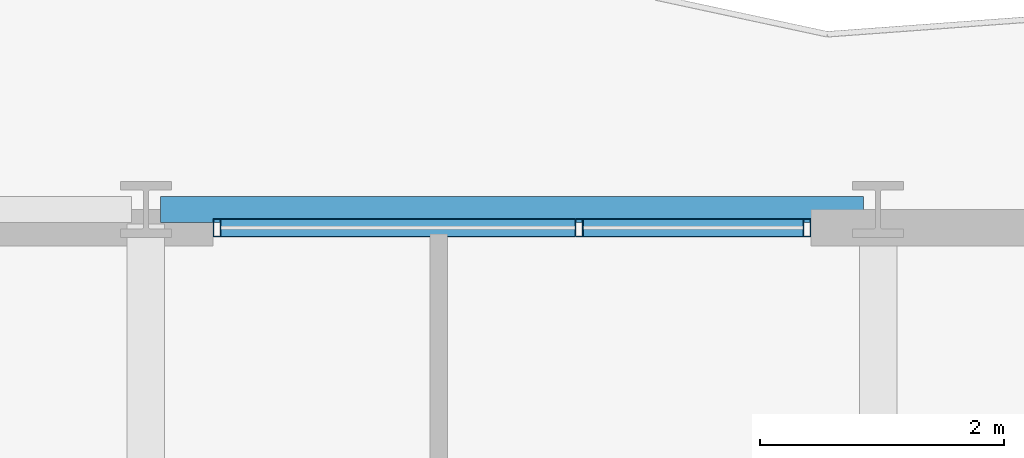
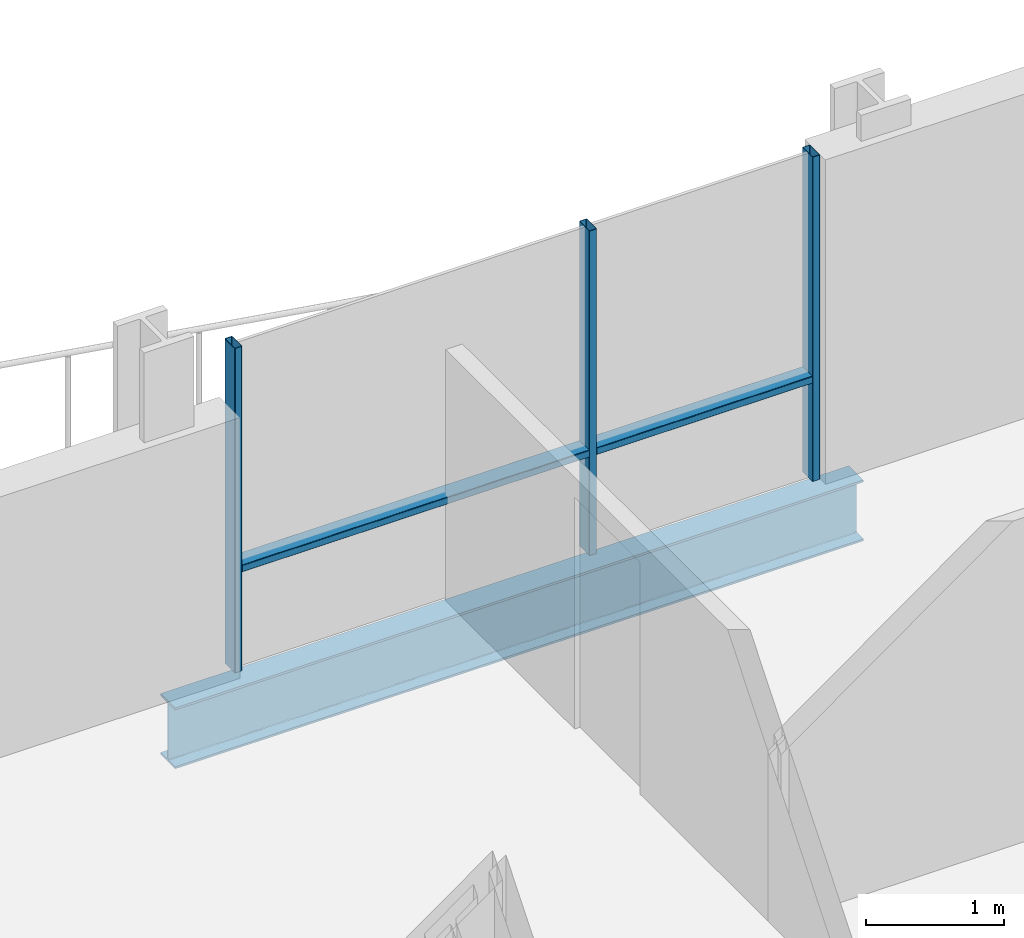
# One storey, part 24 of 41: 5 members, 1 beam, 1 element without a shape of its own.
"""IFC4 building model written with IfcOpenShell, lengths in metres."""

from ifc_helpers import new_model, si_unit, direction, frame, origin, origin_2d, place, context, subcontext, project, spatial, hollow_rectangle, i_section, extrude, material, layer, layer_set, material_profile, profile_set, type_object, element, aggregate, save


model = new_model("IFC4")

# Units and contexts
model_context = context("Model", 3, precision=1e-05, world=origin(), true_north=direction((0.0, 1.0)))
body_context = subcontext(model_context, "Body", "Model", "MODEL_VIEW")
ifc_project = project(units=[si_unit("LENGTHUNIT", "METRE"), si_unit("AREAUNIT", "SQUARE_METRE"), si_unit("VOLUMEUNIT", "CUBIC_METRE"), si_unit("PLANEANGLEUNIT", "RADIAN"), si_unit("MASSUNIT", "GRAM", prefix="KILO")], contexts=[model_context])

# Site, building, storey
site_placement = place(None, origin())
site = spatial("IfcSite", under=ifc_project, at=site_placement, CompositionType="ELEMENT")
building_placement = place(site_placement, origin())
building = spatial("IfcBuilding", under=site, at=building_placement, Name="Brevholm Reach", CompositionType="ELEMENT")
storey_placement = place(building_placement, frame((0.0, 0.0, 86.89990234375)))
storey = spatial("IfcBuildingStorey", under=building, at=storey_placement, Name="L25", CompositionType="ELEMENT", Elevation=86.89990234375)

# Beam
ifc_material_1 = material(Name="Structural Steel S355J2", Category="steel")
ifc_material_profile_1 = material_profile(ifc_material_1, i_section(OverallWidth=0.210693359375, OverallDepth=0.53955078125, WebThickness=0.01171875, FlangeThickness=0.018798828125, FilletRadius=0.0126953125, at=origin_2d()), Name="UKB 533x210x109")
ifc_profile_set_1 = profile_set([ifc_material_profile_1], Name="Structural Steel S355J2")
beam_type = type_object("IfcBeamType", Name="BM-SP539", PredefinedType="SPANDREL", material=ifc_profile_set_1)
beam_placement = place(storey_placement, frame((48.1201171875, 31.0, -0.499755859375), z_axis=(1.0, 0.0, 0.0), x_axis=(0.0, 1.0, 0.0)))
element("IfcBeam", 1, at=beam_placement, inside=storey, type_object=beam_type, Name="L25 SP-01B Framing Beam", PredefinedType="SPANDREL", context=body_context, shape_type="SweptSolid", body=[
    extrude(i_section(OverallWidth=0.210693359375, OverallDepth=0.53955078125, WebThickness=0.01171875, FlangeThickness=0.018798828125, FilletRadius=0.0126953125, at=origin_2d()), origin(), (0.0, 0.0, 1.0), 5.759765625),
])

# Curtain wall, members
ifc_material_2 = material(Name="Dark Anodised Aluminium 6063-T6 and Solar-Control Glass", Category="aluminium")
ifc_layer = layer(ifc_material_2, 0.14990234375)
ifc_layer_set = layer_set([ifc_layer], Name="Dark Anodised Aluminium 6063-T6 and Solar-Control Glass")
curtain_wall_type = type_object("IfcCurtainWallType", Name="CW-01", PredefinedType="NOTDEFINED", material=ifc_layer_set)
curtain_wall_placement = place(storey_placement, origin())
curtain_wall = element("IfcCurtainWall", 2, at=curtain_wall_placement, inside=storey, type_object=curtain_wall_type, Name="L25 Curtain Wall CW-01", PredefinedType="NOTDEFINED")
ifc_material_3 = material(Name="Dark Anodised Aluminium 6063-T6", Category="aluminium")
ifc_material_profile_2 = material_profile(ifc_material_3, hollow_rectangle(XDim=0.06494140625, YDim=0.14990234375, WallThickness=0.0048828125, InnerFilletRadius=0.0048828125, OuterFilletRadius=0.010009765625, at=origin_2d()), Name="RHS 150x65x5")
ifc_profile_set_2 = profile_set([ifc_material_profile_2], Name="Dark Anodised Aluminium 6063-T6")
member_type_1 = type_object("IfcMemberType", Name="CWM-150", PredefinedType="MULLION", material=ifc_profile_set_2)
member_1_placement = place(storey_placement, frame((48.58251953125, 30.85009765625, 0.0), z_axis=(0.0, 0.0, 1.0), x_axis=(1.0, 0.0, 0.0)))
member_1 = element("IfcMember", 3, at=member_1_placement, type_object=member_type_1, Name="CM-150 Mullion 1", PredefinedType="MULLION", context=body_context, shape_type="SweptSolid", body=[
    extrude(hollow_rectangle(XDim=0.06494140625, YDim=0.14990234375, WallThickness=0.0048828125, InnerFilletRadius=0.0048828125, OuterFilletRadius=0.010009765625, at=origin_2d()), origin(), (0.0, 0.0, 1.0), 2.8701171875),
])
member_2_placement = place(storey_placement, frame((51.550048828125, 30.85009765625, 0.0), z_axis=(0.0, 0.0, 1.0), x_axis=(1.0, 0.0, 0.0)))
member_2 = element("IfcMember", 4, at=member_2_placement, type_object=member_type_1, Name="CM-150 Mullion 2", PredefinedType="MULLION", context=body_context, shape_type="SweptSolid", body=[
    extrude(hollow_rectangle(XDim=0.06494140625, YDim=0.14990234375, WallThickness=0.0048828125, InnerFilletRadius=0.0048828125, OuterFilletRadius=0.010009765625, at=origin_2d()), origin(), (0.0, 0.0, 1.0), 2.8701171875),
])
member_3_placement = place(storey_placement, frame((53.41748046875, 30.85009765625, 0.0), z_axis=(0.0, 0.0, 1.0), x_axis=(1.0, 0.0, 0.0)))
member_3 = element("IfcMember", 5, at=member_3_placement, type_object=member_type_1, Name="CM-150 Mullion 3", PredefinedType="MULLION", context=body_context, shape_type="SweptSolid", body=[
    extrude(hollow_rectangle(XDim=0.06494140625, YDim=0.14990234375, WallThickness=0.0048828125, InnerFilletRadius=0.0048828125, OuterFilletRadius=0.010009765625, at=origin_2d()), origin(), (0.0, 0.0, 1.0), 2.8701171875),
])
ifc_material_4 = material(Name="Dark Anodised Aluminium 6063-T6", Category="aluminium")
ifc_material_profile_3 = material_profile(ifc_material_4, hollow_rectangle(XDim=0.06494140625, YDim=0.14990234375, WallThickness=0.0048828125, InnerFilletRadius=0.0048828125, OuterFilletRadius=0.010009765625, at=origin_2d()), Name="RHS 150x65x5")
ifc_profile_set_3 = profile_set([ifc_material_profile_3], Name="Dark Anodised Aluminium 6063-T6")
member_type_2 = type_object("IfcMemberType", Name="CWT-150", PredefinedType="NOTDEFINED", material=ifc_profile_set_3)
member_4_placement = place(storey_placement, frame((48.614990234375, 30.85009765625, 0.900146484375), z_axis=(1.0, 0.0, 0.0), x_axis=(0.0, 0.0, 1.0)))
member_4 = element("IfcMember", 6, at=member_4_placement, type_object=member_type_2, Name="CT-150 Transom 1.1", ObjectType="TRANSOM", PredefinedType="USERDEFINED", context=body_context, shape_type="SweptSolid", body=[
    extrude(hollow_rectangle(XDim=0.06494140625, YDim=0.14990234375, WallThickness=0.0048828125, InnerFilletRadius=0.0048828125, OuterFilletRadius=0.010009765625, at=origin_2d()), origin(), (0.0, 0.0, 1.0), 2.902587890625),
])
member_5_placement = place(storey_placement, frame((51.58251953125, 30.85009765625, 0.900146484375), z_axis=(1.0, 0.0, 0.0), x_axis=(0.0, 0.0, 1.0)))
member_5 = element("IfcMember", 7, at=member_5_placement, type_object=member_type_2, Name="CT-150 Transom 2.1", ObjectType="TRANSOM", PredefinedType="USERDEFINED", context=body_context, shape_type="SweptSolid", body=[
    extrude(hollow_rectangle(XDim=0.06494140625, YDim=0.14990234375, WallThickness=0.0048828125, InnerFilletRadius=0.0048828125, OuterFilletRadius=0.010009765625, at=origin_2d()), origin(), (0.0, 0.0, 1.0), 1.802490234375),
])
aggregate(curtain_wall, [member_1, member_2, member_3, member_4, member_5])

save(model, "model.ifc")
